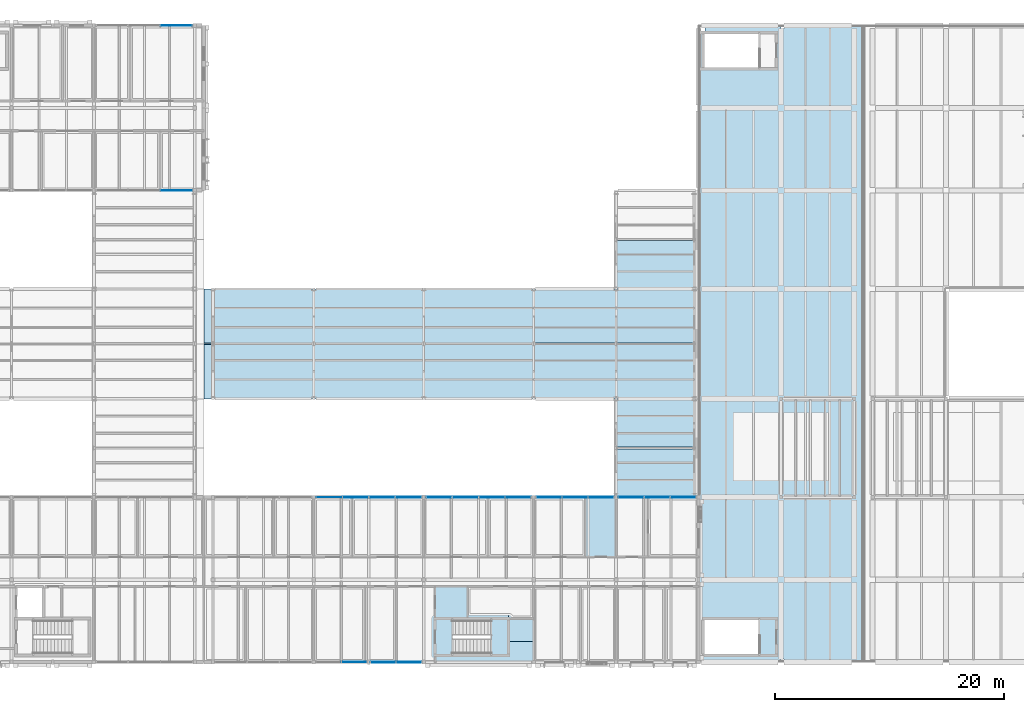
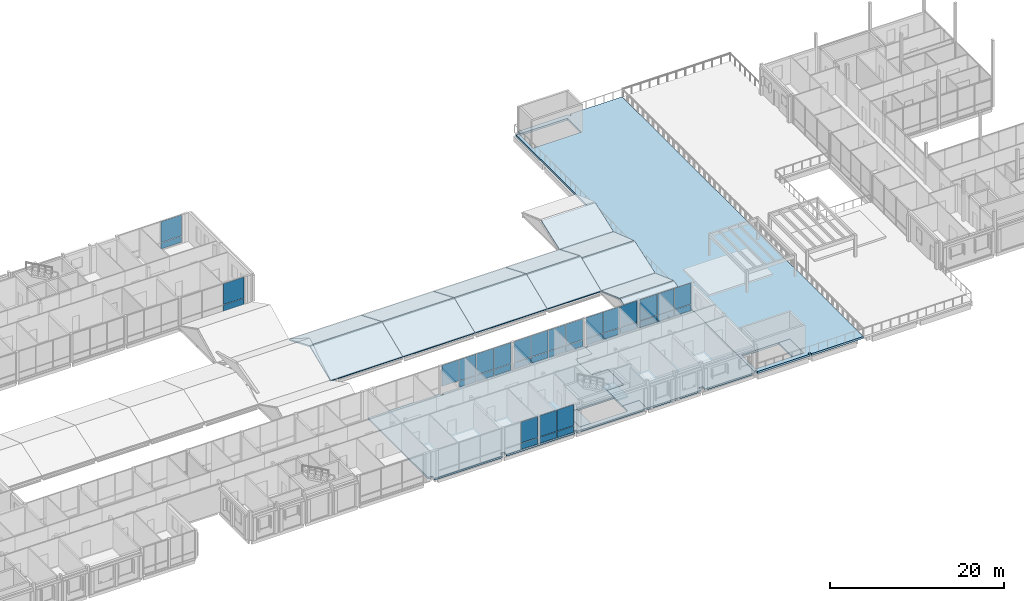
# One storey, part 70 of 115: 37 plates, 19 slabs, 9 elements without a shape of their own.
"""IFC4 building model written with IfcOpenShell, lengths in metres."""

from ifc_helpers import new_model, si_unit, direction, frame, origin, origin_2d, place, context, subcontext, project, spatial, polyline, rectangle, outline, extrude, material, layer, layer_set, type_object, element, aggregate, save


model = new_model("IFC4")

# Units and contexts
model_context = context("Model", 3, precision=1e-05, world=origin(), true_north=direction((0.0, 1.0)))
body_context = subcontext(model_context, "Body", "Model", "MODEL_VIEW")
ifc_project = project(units=[si_unit("LENGTHUNIT", "METRE"), si_unit("AREAUNIT", "SQUARE_METRE"), si_unit("VOLUMEUNIT", "CUBIC_METRE"), si_unit("PLANEANGLEUNIT", "RADIAN"), si_unit("MASSUNIT", "GRAM", prefix="KILO")], contexts=[model_context])

# Site, building, storey
site_placement = place(None, origin())
site = spatial("IfcSite", under=ifc_project, at=site_placement, CompositionType="ELEMENT")
building_placement = place(site_placement, origin())
building = spatial("IfcBuilding", under=site, at=building_placement, Name="Hawrajan Terrace Health Centre", CompositionType="ELEMENT")
storey_placement = place(building_placement, frame((0.0, 0.0, 9.0)))
storey = spatial("IfcBuildingStorey", under=building, at=storey_placement, Name="L02", CompositionType="ELEMENT", Elevation=9.0)

# Curtain wall, plate
ifc_material_1 = material(Name="Anodized bronze aluminium and low-E solar glazing", Category="aluminium")
curtain_wall_type_1 = type_object("IfcCurtainWallType", Name="CW_Clerestory_SeriesG2", PredefinedType="USERDEFINED", material=ifc_material_1)
curtain_wall_1_placement = place(storey_placement, origin())
curtain_wall_1 = element("IfcCurtainWall", 1, at=curtain_wall_1_placement, inside=storey, type_object=curtain_wall_type_1, Name="Curtain wall CW-L02-137", ObjectType="UNITISED CURTAIN WALL", PredefinedType="USERDEFINED")
ifc_material_2 = material(Name="Diffused north-light insulated glazing", Category="glass")
ifc_layer_1 = layer(ifc_material_2, 0.031982421875)
ifc_layer_set_1 = layer_set([ifc_layer_1], Name="Diffused north-light insulated glazing")
plate_type_1 = type_object("IfcPlateType", Name="ClerestoryGlassPanel_32", PredefinedType="CURTAIN_PANEL", material=ifc_layer_set_1)
plate_1_placement = place(storey_placement, frame((69.398193359375, 59.800048828125, 0.9814453125), z_axis=(0.0, 0.0, 1.0), x_axis=(1.0, 0.0, 0.0)))
plate_1 = element("IfcPlate", 2, at=plate_1_placement, type_object=plate_type_1, Name="Curtain panel CW-L02-137-P3-2", PredefinedType="CURTAIN_PANEL", context=body_context, shape_type="SweptSolid", body=[
    extrude(rectangle(XDim=2.745361328125, YDim=0.031982421875, at=origin_2d()), origin(), (0.0, 0.0, 1.0), 2.929443359375),
])

curtain_wall_type_2 = type_object("IfcCurtainWallType", Name="CW_Bridge_SeriesJ1", PredefinedType="USERDEFINED", material=ifc_material_1)
curtain_wall_2_placement = place(storey_placement, origin())
curtain_wall_2 = element("IfcCurtainWall", 3, at=curtain_wall_2_placement, inside=storey, type_object=curtain_wall_type_2, Name="Curtain wall CW-L02-140", ObjectType="UNITISED CURTAIN WALL", PredefinedType="USERDEFINED")
plate_2_placement = place(storey_placement, frame((84.931396484375, 4.199951171875, 0.9814453125), z_axis=(0.0, 0.0, 1.0), x_axis=(1.0, 0.0, 0.0)))
plate_2 = element("IfcPlate", 4, at=plate_2_placement, type_object=plate_type_1, Name="Curtain panel CW-L02-140-P2-2", PredefinedType="CURTAIN_PANEL", context=body_context, shape_type="SweptSolid", body=[
    extrude(rectangle(XDim=2.159423828125, YDim=0.031982421875, at=origin_2d()), origin(), (0.0, 0.0, 1.0), 2.939453125),
])

# Curtain wall, plates
curtain_wall_type_3 = type_object("IfcCurtainWallType", Name="CW_Diagnostic_SeriesM1", PredefinedType="USERDEFINED", material=ifc_material_1)
curtain_wall_3_placement = place(storey_placement, origin())
curtain_wall_3 = element("IfcCurtainWall", 5, at=curtain_wall_3_placement, inside=storey, type_object=curtain_wall_type_3, Name="Curtain wall CW-L02-143", ObjectType="UNITISED CURTAIN WALL", PredefinedType="USERDEFINED")
plate_3_placement = place(storey_placement, frame((92.33056640625, 18.60009765625, 0.9814453125), z_axis=(0.0, 0.0, 1.0), x_axis=(1.0, 0.0, 0.0)))
plate_3 = element("IfcPlate", 6, at=plate_3_placement, type_object=plate_type_1, Name="Curtain panel CW-L02-143-P1-2", PredefinedType="CURTAIN_PANEL", context=body_context, shape_type="SweptSolid", body=[
    extrude(rectangle(XDim=2.2431640625, YDim=0.031982421875, at=origin_2d()), origin(), (0.0, 0.0, 1.0), 2.939453125),
])
plate_4_placement = place(storey_placement, frame((94.636962890625, 18.60009765625, 0.9814453125), z_axis=(0.0, 0.0, 1.0), x_axis=(1.0, 0.0, 0.0)))
plate_4 = element("IfcPlate", 7, at=plate_4_placement, type_object=plate_type_1, Name="Curtain panel CW-L02-143-P2-2", PredefinedType="CURTAIN_PANEL", context=body_context, shape_type="SweptSolid", body=[
    extrude(rectangle(XDim=2.2431640625, YDim=0.031982421875, at=origin_2d()), origin(), (0.0, 0.0, 1.0), 2.939453125),
])
plate_5_placement = place(storey_placement, frame((96.943115234375, 18.60009765625, 0.9814453125), z_axis=(0.0, 0.0, 1.0), x_axis=(1.0, 0.0, 0.0)))
plate_5 = element("IfcPlate", 8, at=plate_5_placement, type_object=plate_type_1, Name="Curtain panel CW-L02-143-P3-2", PredefinedType="CURTAIN_PANEL", context=body_context, shape_type="SweptSolid", body=[
    extrude(rectangle(XDim=2.243408203125, YDim=0.031982421875, at=origin_2d()), origin(), (0.0, 0.0, 1.0), 2.939453125),
])
plate_6_placement = place(storey_placement, frame((99.24951171875, 18.60009765625, 0.9814453125), z_axis=(0.0, 0.0, 1.0), x_axis=(1.0, 0.0, 0.0)))
plate_6 = element("IfcPlate", 9, at=plate_6_placement, type_object=plate_type_1, Name="Curtain panel CW-L02-143-P4-2", PredefinedType="CURTAIN_PANEL", context=body_context, shape_type="SweptSolid", body=[
    extrude(rectangle(XDim=2.243408203125, YDim=0.031982421875, at=origin_2d()), origin(), (0.0, 0.0, 1.0), 2.939453125),
])

# Slabs
ifc_material_3 = material(Name="Cross-laminated timber CLT C24", Category="wood")
ifc_layer_2 = layer(ifc_material_3, 0.239990234375)
ifc_layer_set_2 = layer_set([ifc_layer_2], Name="Cross-laminated timber CLT C24")
slab_type_1 = type_object("IfcSlabType", Name="FloorSlab_CLT240", PredefinedType="FLOOR", material=ifc_layer_set_2)
slab_1_placement = place(storey_placement, frame((0.0, 0.0, -0.239990234375)))
element("IfcSlab", 10, at=slab_1_placement, inside=storey, type_object=slab_type_1, Name="Structural slab SL-L02-C-V3-Z3-1", PredefinedType="FLOOR", context=body_context, shape_type="SweptSolid", body=[
    extrude(outline(polyline([(71.804931640625, 18.60009765625), (81.39990234375, 18.60009765625), (81.39990234375, 18.320068359375), (81.679931640625, 18.320068359375), (81.679931640625, 18.60009765625), (91.0, 18.60009765625), (100.60009765625, 18.60009765625), (100.60009765625, 18.320068359375), (100.60009765625, 16.800048828125), (98.39990234375, 16.800048828125), (98.39990234375, 13.199951171875), (100.60009765625, 13.199951171875), (100.60009765625, 11.39990234375), (100.60009765625, 9.60009765625), (98.39990234375, 9.60009765625), (98.39990234375, 8.0), (92.0, 8.0), (92.0, 4.800048828125), (98.39990234375, 4.800048828125), (98.39990234375, 6.0), (100.60009765625, 6.0), (100.60009765625, 4.199951171875), (91.280029296875, 4.199951171875), (91.280029296875, 4.47998046875), (91.0, 4.47998046875), (91.0, 4.199951171875), (81.949951171875, 4.199951171875), (81.949951171875, 4.75), (81.39990234375, 4.75), (81.39990234375, 4.199951171875), (72.35009765625, 4.199951171875), (72.35009765625, 4.75), (71.804931640625, 4.75), (71.804931640625, 11.39990234375), (71.804931640625, 18.60009765625)])), origin(), (0.0, 0.0, 1.0), 0.239990234375),
])
slab_2_placement = place(storey_placement, frame((0.0, 0.0, -0.239990234375)))
element("IfcSlab", 11, at=slab_2_placement, inside=storey, type_object=slab_type_1, Name="Structural slab SL-L02-C-V3-Z4-1", PredefinedType="FLOOR", context=body_context, shape_type="SweptSolid", body=[
    extrude(outline(polyline([(100.8798828125, 18.320068359375), (100.8798828125, 18.60009765625), (107.800048828125, 18.60009765625), (115.0, 18.60009765625), (115.0, 11.39990234375), (115.0, 4.47998046875), (115.0, 4.199951171875), (108.35009765625, 4.199951171875), (108.35009765625, 4.75), (107.800048828125, 4.75), (107.800048828125, 4.199951171875), (100.60205078125, 4.199951171875), (100.60205078125, 6.001953125), (98.39990234375, 6.001953125), (98.39990234375, 7.998046875), (98.402099609375, 7.998046875), (98.402099609375, 9.597900390625), (100.60205078125, 9.597900390625), (100.60205078125, 13.201904296875), (98.402099609375, 13.201904296875), (98.402099609375, 16.798095703125), (100.60205078125, 16.798095703125), (100.60205078125, 18.320068359375), (100.8798828125, 18.320068359375)])), origin(), (0.0, 0.0, 1.0), 0.239990234375),
])
ifc_layer_3 = layer(ifc_material_3, 0.179931640625)
ifc_layer_set_3 = layer_set([ifc_layer_3], Name="Cross-laminated timber CLT C24")
slab_type_2 = type_object("IfcSlabType", Name="RoofSlab_Tent180", PredefinedType="ROOF", material=ifc_layer_set_3)
for number, where, z_axis, x_axis, name in (
    (12, (71.804931640625, 27.199951171875, 0.0), (0.0, -0.384639116064, 0.923067034615), (1.0, 0.0, 0.0), "Pitched tent roof slab RF-V1-10-TRM-S"),
    (13, (71.804931640625, 32.080078125, 1.966796875), (0.0, 0.384639116064, 0.923067034615), (1.0, 0.0, 0.0), "Pitched tent roof slab RF-V1-10-TRM-N"),
):
    element("IfcSlab", number, at=place(storey_placement, frame(where, z_axis=z_axis, x_axis=x_axis)), inside=storey, type_object=slab_type_2, Name=name, PredefinedType="ROOF", context=body_context, shape_type="SweptSolid", body=[
        extrude(outline(polyline([(0.0, 0.0), (9.594970703125, 0.0), (9.594970703125, 5.113356371882178), (0.0, 5.113356371882178), (0.0, 0.0)])), origin(), (0.0, 0.0, -1.0), 0.179931640625),
    ])
for number, where, z_axis, x_axis, name in (
    (14, (81.39990234375, 27.199951171875, 0.0), (0.0, -0.384639116064, 0.923067034615), (1.0, 0.0, 0.0), "Pitched tent roof slab RF-V1-11-TRM-S"),
    (15, (81.39990234375, 32.080078125, 1.966796875), (0.0, 0.384639116064, 0.923067034615), (1.0, 0.0, 0.0), "Pitched tent roof slab RF-V1-11-TRM-N"),
    (16, (91.0, 27.199951171875, 0.0), (0.0, -0.384639116064, 0.923067034615), (1.0, 0.0, 0.0), "Pitched tent roof slab RF-V1-12-TRM-S"),
    (17, (91.0, 32.080078125, 1.966796875), (0.0, 0.384639116064, 0.923067034615), (1.0, 0.0, 0.0), "Pitched tent roof slab RF-V1-12-TRM-N"),
):
    element("IfcSlab", number, at=place(storey_placement, frame(where, z_axis=z_axis, x_axis=x_axis)), inside=storey, type_object=slab_type_2, Name=name, PredefinedType="ROOF", context=body_context, shape_type="SweptSolid", body=[
        extrude(outline(polyline([(0.0, 0.0), (9.60009765625, 0.0), (9.60009765625, 5.113356371882178), (0.0, 5.113356371882178), (0.0, 0.0)])), origin(), (0.0, 0.0, -1.0), 0.179931640625),
    ])
for number, where, z_axis, x_axis, name in (
    (18, (100.60009765625, 27.199951171875, 0.0), (0.0, -0.384639116064, 0.923067034615), (1.0, 0.0, 0.0), "Pitched tent roof slab RF-V1-13-TRM-S"),
    (19, (100.60009765625, 32.080078125, 1.966796875), (0.0, 0.384639116064, 0.923067034615), (1.0, 0.0, 0.0), "Pitched tent roof slab RF-V1-13-TRM-N"),
):
    element("IfcSlab", number, at=place(storey_placement, frame(where, z_axis=z_axis, x_axis=x_axis)), inside=storey, type_object=slab_type_2, Name=name, PredefinedType="ROOF", context=body_context, shape_type="SweptSolid", body=[
        extrude(outline(polyline([(0.0, 0.0), (7.199951171875, 0.0), (7.199951171875, 5.113356371882178), (0.0, 5.113356371882178), (0.0, 0.0)])), origin(), (0.0, 0.0, -1.0), 0.179931640625),
    ])
for number, where, z_axis, x_axis, name in (
    (20, (107.800048828125, 27.199951171875, 0.0), (0.0, -0.325092072107, 0.945682369854), (1.0, 0.0, 0.0), "Pitched tent roof slab RF-V1-14-TRS-S"),
    (21, (107.800048828125, 32.080078125, 1.62255859375), (0.0, 0.325092072107, 0.945682369854), (1.0, 0.0, 0.0), "Pitched tent roof slab RF-V1-14-TRS-N"),
):
    element("IfcSlab", number, at=place(storey_placement, frame(where, z_axis=z_axis, x_axis=x_axis)), inside=storey, type_object=slab_type_2, Name=name, PredefinedType="ROOF", context=body_context, shape_type="SweptSolid", body=[
        extrude(outline(polyline([(0.0, 0.0), (7.179931640625, 0.0), (7.179931640625, 4.991074015531156), (0.0, 4.991074015531156), (0.0, 0.0)])), origin(), (0.0, 0.0, -1.0), 0.179931640625),
    ])
for number, where, z_axis, x_axis, name in (
    (22, (107.800048828125, 18.60009765625, 0.0), (0.0, -0.339124157787, 0.940741625318), (1.0, 0.0, 0.0), "Pitched tent roof slab RF-V1-14-TRS-SC-S"),
    (23, (107.800048828125, 22.97998046875, 1.521240234375), (0.0, 0.339124157787, 0.940741625318), (1.0, 0.0, 0.0), "Pitched tent roof slab RF-V1-14-TRS-SC-N"),
    (24, (107.800048828125, 36.800048828125, 0.0), (0.0, -0.339124157787, 0.940741625318), (1.0, 0.0, 0.0), "Pitched tent roof slab RF-V1-14-TRS-NC-S"),
):
    element("IfcSlab", number, at=place(storey_placement, frame(where, z_axis=z_axis, x_axis=x_axis)), inside=storey, type_object=slab_type_2, Name=name, PredefinedType="ROOF", context=body_context, shape_type="SweptSolid", body=[
        extrude(outline(polyline([(0.0, 0.0), (7.179931640625, 0.0), (7.179931640625, 4.485791411324719), (0.0, 4.485791411324719), (0.0, 0.0)])), origin(), (0.0, 0.0, -1.0), 0.179931640625),
    ])

# Curtain wall, plate
curtain_wall_type_4 = type_object("IfcCurtainWallType", Name="CW_Clerestory_SeriesG1", PredefinedType="USERDEFINED", material=ifc_material_1)
curtain_wall_4_placement = place(storey_placement, origin())
curtain_wall_4 = element("IfcCurtainWall", 25, at=curtain_wall_4_placement, inside=storey, type_object=curtain_wall_type_4, Name="Curtain wall CW-L02-136", ObjectType="UNITISED CURTAIN WALL", PredefinedType="USERDEFINED")
ifc_material_4 = material(Name="Insulated anodized bronze spandrel panel")
ifc_layer_4 = layer(ifc_material_4, 0.048095703125)
ifc_layer_set_4 = layer_set([ifc_layer_4], Name="Insulated anodized bronze spandrel panel")
plate_type_2 = type_object("IfcPlateType", Name="SpandrelPanel_Bronze48", PredefinedType="CURTAIN_PANEL", material=ifc_layer_set_4)
plate_7_placement = place(storey_placement, frame((69.401611328125, 45.39990234375, 0.05908203125), z_axis=(0.0, 0.0, 1.0), x_axis=(1.0, 0.0, 0.0)))
plate_7 = element("IfcPlate", 26, at=plate_7_placement, type_object=plate_type_2, Name="Curtain panel CW-L02-136-P3-1", PredefinedType="CURTAIN_PANEL", context=body_context, shape_type="SweptSolid", body=[
    extrude(rectangle(XDim=2.7587890625, YDim=0.048095703125, at=origin_2d()), origin(), (0.0, 0.0, 1.0), 0.864501953125),
])

# Plate
plate_8_placement = place(storey_placement, frame((84.931396484375, 4.199951171875, 0.06884765625), z_axis=(0.0, 0.0, 1.0), x_axis=(1.0, 0.0, 0.0)))
plate_8 = element("IfcPlate", 27, at=plate_8_placement, type_object=plate_type_2, Name="Curtain panel CW-L02-140-P2-1", PredefinedType="CURTAIN_PANEL", context=body_context, shape_type="SweptSolid", body=[
    extrude(rectangle(XDim=2.159423828125, YDim=0.048095703125, at=origin_2d()), origin(), (0.0, 0.0, 1.0), 0.849609375),
])

aggregate(curtain_wall_2, [plate_8, plate_2])

# Curtain wall, plates
curtain_wall_type_5 = type_object("IfcCurtainWallType", Name="CW_Setback_SeriesL1", PredefinedType="USERDEFINED", material=ifc_material_1)
curtain_wall_5_placement = place(storey_placement, origin())
curtain_wall_5 = element("IfcCurtainWall", 28, at=curtain_wall_5_placement, inside=storey, type_object=curtain_wall_type_5, Name="Curtain wall CW-L02-142", ObjectType="UNITISED CURTAIN WALL", PredefinedType="USERDEFINED")
plate_9_placement = place(storey_placement, frame((85.0556640625, 18.60009765625, 0.05908203125), z_axis=(0.0, 0.0, 1.0), x_axis=(1.0, 0.0, 0.0)))
plate_9 = element("IfcPlate", 29, at=plate_9_placement, type_object=plate_type_2, Name="Curtain panel CW-L02-142-P2-1", PredefinedType="CURTAIN_PANEL", context=body_context, shape_type="SweptSolid", body=[
    extrude(rectangle(XDim=2.255615234375, YDim=0.048095703125, at=origin_2d()), origin(), (0.0, 0.0, 1.0), 0.864501953125),
])
plate_10_placement = place(storey_placement, frame((87.364501953125, 18.60009765625, 0.05908203125), z_axis=(0.0, 0.0, 1.0), x_axis=(1.0, 0.0, 0.0)))
plate_10 = element("IfcPlate", 30, at=plate_10_placement, type_object=plate_type_2, Name="Curtain panel CW-L02-142-P3-1", PredefinedType="CURTAIN_PANEL", context=body_context, shape_type="SweptSolid", body=[
    extrude(rectangle(XDim=2.255615234375, YDim=0.048095703125, at=origin_2d()), origin(), (0.0, 0.0, 1.0), 0.864501953125),
])
plate_11_placement = place(storey_placement, frame((89.673095703125, 18.60009765625, 0.05908203125), z_axis=(0.0, 0.0, 1.0), x_axis=(1.0, 0.0, 0.0)))
plate_11 = element("IfcPlate", 31, at=plate_11_placement, type_object=plate_type_2, Name="Curtain panel CW-L02-142-P4-1", PredefinedType="CURTAIN_PANEL", context=body_context, shape_type="SweptSolid", body=[
    extrude(rectangle(XDim=2.255859375, YDim=0.048095703125, at=origin_2d()), origin(), (0.0, 0.0, 1.0), 0.864501953125),
])

curtain_wall_type_6 = type_object("IfcCurtainWallType", Name="CW_Diagnostic_SeriesM2", PredefinedType="USERDEFINED", material=ifc_material_1)
curtain_wall_6_placement = place(storey_placement, origin())
curtain_wall_6 = element("IfcCurtainWall", 32, at=curtain_wall_6_placement, inside=storey, type_object=curtain_wall_type_6, Name="Curtain wall CW-L02-144", ObjectType="UNITISED CURTAIN WALL", PredefinedType="USERDEFINED")
plate_12_placement = place(storey_placement, frame((101.931640625, 18.60009765625, 0.05908203125), z_axis=(0.0, 0.0, 1.0), x_axis=(1.0, 0.0, 0.0)))
plate_12 = element("IfcPlate", 33, at=plate_12_placement, type_object=plate_type_2, Name="Curtain panel CW-L02-144-P1-1", PredefinedType="CURTAIN_PANEL", context=body_context, shape_type="SweptSolid", body=[
    extrude(rectangle(XDim=2.225341796875, YDim=0.048095703125, at=origin_2d()), origin(), (0.0, 0.0, 1.0), 0.864501953125),
])
plate_13_placement = place(storey_placement, frame((104.2099609375, 18.60009765625, 0.05908203125), z_axis=(0.0, 0.0, 1.0), x_axis=(1.0, 0.0, 0.0)))
plate_13 = element("IfcPlate", 34, at=plate_13_placement, type_object=plate_type_2, Name="Curtain panel CW-L02-144-P2-1", PredefinedType="CURTAIN_PANEL", context=body_context, shape_type="SweptSolid", body=[
    extrude(rectangle(XDim=2.225341796875, YDim=0.048095703125, at=origin_2d()), origin(), (0.0, 0.0, 1.0), 0.864501953125),
])
plate_14_placement = place(storey_placement, frame((106.48828125, 18.60009765625, 0.05908203125), z_axis=(0.0, 0.0, 1.0), x_axis=(1.0, 0.0, 0.0)))
plate_14 = element("IfcPlate", 35, at=plate_14_placement, type_object=plate_type_2, Name="Curtain panel CW-L02-144-P3-1", PredefinedType="CURTAIN_PANEL", context=body_context, shape_type="SweptSolid", body=[
    extrude(rectangle(XDim=2.225341796875, YDim=0.048095703125, at=origin_2d()), origin(), (0.0, 0.0, 1.0), 0.864501953125),
])

# Plate
ifc_material_5 = material(Name="Insulated reconstituted coral-stone spandrel", Category="masonry")
ifc_layer_5 = layer(ifc_material_5, 0.055908203125)
ifc_layer_set_5 = layer_set([ifc_layer_5], Name="Insulated reconstituted coral-stone spandrel")
plate_type_3 = type_object("IfcPlateType", Name="SpandrelPanel_Coral56", PredefinedType="CURTAIN_PANEL", material=ifc_layer_set_5)
plate_15_placement = place(storey_placement, frame((69.398193359375, 59.800048828125, 0.06884765625), z_axis=(0.0, 0.0, 1.0), x_axis=(1.0, 0.0, 0.0)))
plate_15 = element("IfcPlate", 36, at=plate_15_placement, type_object=plate_type_3, Name="Curtain panel CW-L02-137-P3-1", PredefinedType="CURTAIN_PANEL", context=body_context, shape_type="SweptSolid", body=[
    extrude(rectangle(XDim=2.745361328125, YDim=0.055908203125, at=origin_2d()), origin(), (0.0, 0.0, 1.0), 0.849609375),
])

aggregate(curtain_wall_1, [plate_15, plate_1])

# Curtain wall, plates
curtain_wall_type_7 = type_object("IfcCurtainWallType", Name="CW_Terrace_SeriesK1", PredefinedType="USERDEFINED", material=ifc_material_1)
curtain_wall_7_placement = place(storey_placement, origin())
curtain_wall_7 = element("IfcCurtainWall", 37, at=curtain_wall_7_placement, inside=storey, type_object=curtain_wall_type_7, Name="Curtain wall CW-L02-141", ObjectType="UNITISED CURTAIN WALL", PredefinedType="USERDEFINED")
plate_16_placement = place(storey_placement, frame((87.47119140625, 4.199951171875, 0.05908203125), z_axis=(0.0, 0.0, 1.0), x_axis=(1.0, 0.0, 0.0)))
plate_16 = element("IfcPlate", 38, at=plate_16_placement, type_object=plate_type_3, Name="Curtain panel CW-L02-141-P1-1", PredefinedType="CURTAIN_PANEL", context=body_context, shape_type="SweptSolid", body=[
    extrude(rectangle(XDim=2.1845703125, YDim=0.055908203125, at=origin_2d()), origin(), (0.0, 0.0, 1.0), 0.864501953125),
])
plate_17_placement = place(storey_placement, frame((89.708740234375, 4.199951171875, 0.05908203125), z_axis=(0.0, 0.0, 1.0), x_axis=(1.0, 0.0, 0.0)))
plate_17 = element("IfcPlate", 39, at=plate_17_placement, type_object=plate_type_3, Name="Curtain panel CW-L02-141-P2-1", PredefinedType="CURTAIN_PANEL", context=body_context, shape_type="SweptSolid", body=[
    extrude(rectangle(XDim=2.1845703125, YDim=0.055908203125, at=origin_2d()), origin(), (0.0, 0.0, 1.0), 0.864501953125),
])

# Plate
plate_18_placement = place(storey_placement, frame((92.33056640625, 18.60009765625, 0.06884765625), z_axis=(0.0, 0.0, 1.0), x_axis=(1.0, 0.0, 0.0)))
plate_18 = element("IfcPlate", 40, at=plate_18_placement, type_object=plate_type_3, Name="Curtain panel CW-L02-143-P1-1", PredefinedType="CURTAIN_PANEL", context=body_context, shape_type="SweptSolid", body=[
    extrude(rectangle(XDim=2.2431640625, YDim=0.055908203125, at=origin_2d()), origin(), (0.0, 0.0, 1.0), 0.849609375),
])

plate_19_placement = place(storey_placement, frame((94.636962890625, 18.60009765625, 0.06884765625), z_axis=(0.0, 0.0, 1.0), x_axis=(1.0, 0.0, 0.0)))
plate_19 = element("IfcPlate", 41, at=plate_19_placement, type_object=plate_type_3, Name="Curtain panel CW-L02-143-P2-1", PredefinedType="CURTAIN_PANEL", context=body_context, shape_type="SweptSolid", body=[
    extrude(rectangle(XDim=2.2431640625, YDim=0.055908203125, at=origin_2d()), origin(), (0.0, 0.0, 1.0), 0.849609375),
])

plate_20_placement = place(storey_placement, frame((96.943115234375, 18.60009765625, 0.06884765625), z_axis=(0.0, 0.0, 1.0), x_axis=(1.0, 0.0, 0.0)))
plate_20 = element("IfcPlate", 42, at=plate_20_placement, type_object=plate_type_3, Name="Curtain panel CW-L02-143-P3-1", PredefinedType="CURTAIN_PANEL", context=body_context, shape_type="SweptSolid", body=[
    extrude(rectangle(XDim=2.243408203125, YDim=0.055908203125, at=origin_2d()), origin(), (0.0, 0.0, 1.0), 0.849609375),
])

plate_21_placement = place(storey_placement, frame((99.24951171875, 18.60009765625, 0.06884765625), z_axis=(0.0, 0.0, 1.0), x_axis=(1.0, 0.0, 0.0)))
plate_21 = element("IfcPlate", 43, at=plate_21_placement, type_object=plate_type_3, Name="Curtain panel CW-L02-143-P4-1", PredefinedType="CURTAIN_PANEL", context=body_context, shape_type="SweptSolid", body=[
    extrude(rectangle(XDim=2.243408203125, YDim=0.055908203125, at=origin_2d()), origin(), (0.0, 0.0, 1.0), 0.849609375),
])

aggregate(curtain_wall_3, [plate_18, plate_3, plate_19, plate_4, plate_20, plate_5, plate_21, plate_6])

# Curtain wall, plates
curtain_wall_type_8 = type_object("IfcCurtainWallType", Name="CW_Court_SeriesA1", PredefinedType="USERDEFINED", material=ifc_material_1)
curtain_wall_8_placement = place(storey_placement, origin())
curtain_wall_8 = element("IfcCurtainWall", 44, at=curtain_wall_8_placement, inside=storey, type_object=curtain_wall_type_8, Name="Curtain wall CW-L02-145", ObjectType="UNITISED CURTAIN WALL", PredefinedType="USERDEFINED")
plate_22_placement = place(storey_placement, frame((109.11181640625, 18.60009765625, 0.05908203125), z_axis=(0.0, 0.0, 1.0), x_axis=(1.0, 0.0, 0.0)))
plate_22 = element("IfcPlate", 45, at=plate_22_placement, type_object=plate_type_3, Name="Curtain panel CW-L02-145-P1-1", PredefinedType="CURTAIN_PANEL", context=body_context, shape_type="SweptSolid", body=[
    extrude(rectangle(XDim=2.225341796875, YDim=0.055908203125, at=origin_2d()), origin(), (0.0, 0.0, 1.0), 0.864501953125),
])
plate_23_placement = place(storey_placement, frame((111.389892578125, 18.60009765625, 0.05908203125), z_axis=(0.0, 0.0, 1.0), x_axis=(1.0, 0.0, 0.0)))
plate_23 = element("IfcPlate", 46, at=plate_23_placement, type_object=plate_type_3, Name="Curtain panel CW-L02-145-P2-1", PredefinedType="CURTAIN_PANEL", context=body_context, shape_type="SweptSolid", body=[
    extrude(rectangle(XDim=2.225341796875, YDim=0.055908203125, at=origin_2d()), origin(), (0.0, 0.0, 1.0), 0.864501953125),
])
plate_24_placement = place(storey_placement, frame((113.668212890625, 18.60009765625, 0.05908203125), z_axis=(0.0, 0.0, 1.0), x_axis=(1.0, 0.0, 0.0)))
plate_24 = element("IfcPlate", 47, at=plate_24_placement, type_object=plate_type_3, Name="Curtain panel CW-L02-145-P3-1", PredefinedType="CURTAIN_PANEL", context=body_context, shape_type="SweptSolid", body=[
    extrude(rectangle(XDim=2.225341796875, YDim=0.055908203125, at=origin_2d()), origin(), (0.0, 0.0, 1.0), 0.864501953125),
])

# Stair, slabs
ifc_material_6 = material(Name="Concrete C40/50", Category="concrete")
stair_type = type_object("IfcStairType", Name="Stair_4200_W1300", PredefinedType="HALF_TURN_STAIR", material=ifc_material_6)
stair_placement = place(storey_placement, origin())
stair = element("IfcStair", 48, at=stair_placement, inside=storey, type_object=stair_type, Name="Stair ST-5-L02", PredefinedType="HALF_TURN_STAIR")
ifc_layer_6 = layer(ifc_material_6, 0.219970703125)
ifc_layer_set_6 = layer_set([ifc_layer_6], Name="Concrete C40/50")
slab_type_3 = type_object("IfcSlabType", Name="StairLanding_RC220", PredefinedType="LANDING", material=ifc_layer_set_6)
slab_3_placement = place(storey_placement, frame((0.0, 0.0, -0.219970703125)))
slab_3 = element("IfcSlab", 49, at=slab_3_placement, type_object=slab_type_3, Name="Stair floor landing ST-5-L02-L0", PredefinedType="LANDING", context=body_context, shape_type="SweptSolid", body=[
    extrude(outline(polyline([(92.0, 4.800048828125), (93.5, 4.800048828125), (93.5, 8.0), (92.0, 8.0), (92.0, 4.800048828125)])), origin(), (0.0, 0.0, 1.0), 0.219970703125),
])
slab_4_placement = place(storey_placement, frame((0.0, 0.0, 1.8798828125)))
slab_4 = element("IfcSlab", 50, at=slab_4_placement, type_object=slab_type_3, Name="Stair half landing ST-5-L02-L1", PredefinedType="LANDING", context=body_context, shape_type="SweptSolid", body=[
    extrude(outline(polyline([(96.89990234375, 4.800048828125), (98.39990234375, 4.800048828125), (98.39990234375, 8.0), (96.89990234375, 8.0), (96.89990234375, 4.800048828125)])), origin(), (0.0, 0.0, 1.0), 0.22021484375),
])
aggregate(stair, [slab_3, slab_4])

# Slabs
slab_5_placement = place(storey_placement, frame((0.0, 0.0, -0.219970703125)))
element("IfcSlab", 51, at=slab_5_placement, inside=storey, type_object=slab_type_3, Name="Stair top arrival landing ST-6", PredefinedType="LANDING", context=body_context, shape_type="SweptSolid", body=[
    extrude(outline(polyline([(120.300048828125, 4.800048828125), (121.800048828125, 4.800048828125), (121.800048828125, 8.0), (120.300048828125, 8.0), (120.300048828125, 4.800048828125)])), origin(), (0.0, 0.0, 1.0), 0.219970703125),
])
ifc_layer_7 = layer(ifc_material_6, 0.280029296875)
ifc_layer_set_7 = layer_set([ifc_layer_7], Name="Concrete C40/50")
slab_type_4 = type_object("IfcSlabType", Name="TerraceDeck_RC280", PredefinedType="FLOOR", material=ifc_layer_set_7)
slab_6_placement = place(storey_placement, frame((0.0, 0.0, -0.280029296875)))
element("IfcSlab", 52, at=slab_6_placement, inside=storey, type_object=slab_type_4, Name="External terrace deck TR-L02-TERR-L02-V5-C-1", PredefinedType="FLOOR", context=body_context, shape_type="SweptSolid", body=[
    extrude(outline(polyline([(115.0, 18.60009765625), (115.0, 27.199951171875), (115.0, 36.800048828125), (115.0, 45.39990234375), (115.0, 52.60009765625), (115.0, 59.25), (115.550048828125, 59.25), (115.550048828125, 59.800048828125), (122.199951171875, 59.800048828125), (122.199951171875, 59.52001953125), (122.47998046875, 59.52001953125), (122.47998046875, 59.800048828125), (129.39501953125, 59.800048828125), (129.39501953125, 52.60009765625), (129.39501953125, 45.39990234375), (129.39501953125, 36.800048828125), (129.39501953125, 27.199951171875), (129.39501953125, 18.60009765625), (129.39501953125, 11.39990234375), (129.39501953125, 4.199951171875), (122.47998046875, 4.199951171875), (122.47998046875, 4.47998046875), (122.199951171875, 4.47998046875), (122.199951171875, 4.199951171875), (115.280029296875, 4.199951171875), (115.280029296875, 4.47998046875), (115.0, 4.47998046875), (115.0, 11.39990234375), (115.0, 18.60009765625)]), holes=[polyline([(115.39990234375, 4.800048828125), (121.800048828125, 4.800048828125), (121.800048828125, 8.0), (115.39990234375, 8.0), (115.39990234375, 4.800048828125)]), polyline([(121.800048828125, 56.0), (121.800048828125, 59.199951171875), (115.39990234375, 59.199951171875), (115.39990234375, 56.0), (121.800048828125, 56.0)])]), origin(), (0.0, 0.0, 1.0), 0.280029296875),
])

# Plate
ifc_material_7 = material(Name="Double-glazed solar control low-E glass", Category="glass")
ifc_layer_8 = layer(ifc_material_7, 0.028076171875)
ifc_layer_set_8 = layer_set([ifc_layer_8], Name="Double-glazed solar control low-E glass")
plate_type_4 = type_object("IfcPlateType", Name="VisionGlassPanel_28", PredefinedType="CURTAIN_PANEL", material=ifc_layer_set_8)
plate_25_placement = place(storey_placement, frame((87.47119140625, 4.199951171875, 0.976318359375), z_axis=(0.0, 0.0, 1.0), x_axis=(1.0, 0.0, 0.0)))
plate_25 = element("IfcPlate", 53, at=plate_25_placement, type_object=plate_type_4, Name="Curtain panel CW-L02-141-P1-2", PredefinedType="CURTAIN_PANEL", context=body_context, shape_type="SweptSolid", body=[
    extrude(rectangle(XDim=2.1845703125, YDim=0.028076171875, at=origin_2d()), origin(), (0.0, 0.0, 1.0), 2.95458984375),
])

plate_26_placement = place(storey_placement, frame((89.708740234375, 4.199951171875, 0.976318359375), z_axis=(0.0, 0.0, 1.0), x_axis=(1.0, 0.0, 0.0)))
plate_26 = element("IfcPlate", 54, at=plate_26_placement, type_object=plate_type_4, Name="Curtain panel CW-L02-141-P2-2", PredefinedType="CURTAIN_PANEL", context=body_context, shape_type="SweptSolid", body=[
    extrude(rectangle(XDim=2.1845703125, YDim=0.028076171875, at=origin_2d()), origin(), (0.0, 0.0, 1.0), 2.95458984375),
])

aggregate(curtain_wall_7, [plate_16, plate_25, plate_17, plate_26])

plate_27_placement = place(storey_placement, frame((101.931640625, 18.60009765625, 0.976318359375), z_axis=(0.0, 0.0, 1.0), x_axis=(1.0, 0.0, 0.0)))
plate_27 = element("IfcPlate", 55, at=plate_27_placement, type_object=plate_type_4, Name="Curtain panel CW-L02-144-P1-2", PredefinedType="CURTAIN_PANEL", context=body_context, shape_type="SweptSolid", body=[
    extrude(rectangle(XDim=2.225341796875, YDim=0.028076171875, at=origin_2d()), origin(), (0.0, 0.0, 1.0), 2.95458984375),
])

plate_28_placement = place(storey_placement, frame((104.2099609375, 18.60009765625, 0.976318359375), z_axis=(0.0, 0.0, 1.0), x_axis=(1.0, 0.0, 0.0)))
plate_28 = element("IfcPlate", 56, at=plate_28_placement, type_object=plate_type_4, Name="Curtain panel CW-L02-144-P2-2", PredefinedType="CURTAIN_PANEL", context=body_context, shape_type="SweptSolid", body=[
    extrude(rectangle(XDim=2.225341796875, YDim=0.028076171875, at=origin_2d()), origin(), (0.0, 0.0, 1.0), 2.95458984375),
])

plate_29_placement = place(storey_placement, frame((106.48828125, 18.60009765625, 0.976318359375), z_axis=(0.0, 0.0, 1.0), x_axis=(1.0, 0.0, 0.0)))
plate_29 = element("IfcPlate", 57, at=plate_29_placement, type_object=plate_type_4, Name="Curtain panel CW-L02-144-P3-2", PredefinedType="CURTAIN_PANEL", context=body_context, shape_type="SweptSolid", body=[
    extrude(rectangle(XDim=2.225341796875, YDim=0.028076171875, at=origin_2d()), origin(), (0.0, 0.0, 1.0), 2.95458984375),
])

aggregate(curtain_wall_6, [plate_12, plate_27, plate_13, plate_28, plate_14, plate_29])

ifc_material_8 = material(Name="Triple-glazed solar acoustic low-E glass", Category="glass")
ifc_layer_9 = layer(ifc_material_8, 0.035888671875)
ifc_layer_set_9 = layer_set([ifc_layer_9], Name="Triple-glazed solar acoustic low-E glass")
plate_type_5 = type_object("IfcPlateType", Name="VisionGlassPanel_36", PredefinedType="CURTAIN_PANEL", material=ifc_layer_set_9)
plate_30_placement = place(storey_placement, frame((69.401611328125, 45.39990234375, 0.9765625), z_axis=(0.0, 0.0, 1.0), x_axis=(1.0, 0.0, 0.0)))
plate_30 = element("IfcPlate", 58, at=plate_30_placement, type_object=plate_type_5, Name="Curtain panel CW-L02-136-P3-2", PredefinedType="CURTAIN_PANEL", context=body_context, shape_type="SweptSolid", body=[
    extrude(rectangle(XDim=2.7587890625, YDim=0.035888671875, at=origin_2d()), origin(), (0.0, 0.0, 1.0), 2.944580078125),
])

aggregate(curtain_wall_4, [plate_7, plate_30])

plate_31_placement = place(storey_placement, frame((82.746826171875, 18.60009765625, 0.976318359375), z_axis=(0.0, 0.0, 1.0), x_axis=(1.0, 0.0, 0.0)))
plate_31 = element("IfcPlate", 59, at=plate_31_placement, type_object=plate_type_5, Name="Curtain panel CW-L02-142-P1-2", PredefinedType="CURTAIN_PANEL", context=body_context, shape_type="SweptSolid", body=[
    extrude(rectangle(XDim=2.255615234375, YDim=0.035888671875, at=origin_2d()), origin(), (0.0, 0.0, 1.0), 2.95458984375),
])

plate_32_placement = place(storey_placement, frame((85.0556640625, 18.60009765625, 0.976318359375), z_axis=(0.0, 0.0, 1.0), x_axis=(1.0, 0.0, 0.0)))
plate_32 = element("IfcPlate", 60, at=plate_32_placement, type_object=plate_type_5, Name="Curtain panel CW-L02-142-P2-2", PredefinedType="CURTAIN_PANEL", context=body_context, shape_type="SweptSolid", body=[
    extrude(rectangle(XDim=2.255615234375, YDim=0.035888671875, at=origin_2d()), origin(), (0.0, 0.0, 1.0), 2.95458984375),
])

plate_33_placement = place(storey_placement, frame((87.364501953125, 18.60009765625, 0.976318359375), z_axis=(0.0, 0.0, 1.0), x_axis=(1.0, 0.0, 0.0)))
plate_33 = element("IfcPlate", 61, at=plate_33_placement, type_object=plate_type_5, Name="Curtain panel CW-L02-142-P3-2", PredefinedType="CURTAIN_PANEL", context=body_context, shape_type="SweptSolid", body=[
    extrude(rectangle(XDim=2.255615234375, YDim=0.035888671875, at=origin_2d()), origin(), (0.0, 0.0, 1.0), 2.95458984375),
])

plate_34_placement = place(storey_placement, frame((89.673095703125, 18.60009765625, 0.976318359375), z_axis=(0.0, 0.0, 1.0), x_axis=(1.0, 0.0, 0.0)))
plate_34 = element("IfcPlate", 62, at=plate_34_placement, type_object=plate_type_5, Name="Curtain panel CW-L02-142-P4-2", PredefinedType="CURTAIN_PANEL", context=body_context, shape_type="SweptSolid", body=[
    extrude(rectangle(XDim=2.255859375, YDim=0.035888671875, at=origin_2d()), origin(), (0.0, 0.0, 1.0), 2.95458984375),
])

aggregate(curtain_wall_5, [plate_31, plate_9, plate_32, plate_10, plate_33, plate_11, plate_34])

plate_35_placement = place(storey_placement, frame((109.11181640625, 18.60009765625, 0.9765625), z_axis=(0.0, 0.0, 1.0), x_axis=(1.0, 0.0, 0.0)))
plate_35 = element("IfcPlate", 63, at=plate_35_placement, type_object=plate_type_5, Name="Curtain panel CW-L02-145-P1-2", PredefinedType="CURTAIN_PANEL", context=body_context, shape_type="SweptSolid", body=[
    extrude(rectangle(XDim=2.225341796875, YDim=0.035888671875, at=origin_2d()), origin(), (0.0, 0.0, 1.0), 2.944580078125),
])

plate_36_placement = place(storey_placement, frame((111.389892578125, 18.60009765625, 0.9765625), z_axis=(0.0, 0.0, 1.0), x_axis=(1.0, 0.0, 0.0)))
plate_36 = element("IfcPlate", 64, at=plate_36_placement, type_object=plate_type_5, Name="Curtain panel CW-L02-145-P2-2", PredefinedType="CURTAIN_PANEL", context=body_context, shape_type="SweptSolid", body=[
    extrude(rectangle(XDim=2.225341796875, YDim=0.035888671875, at=origin_2d()), origin(), (0.0, 0.0, 1.0), 2.944580078125),
])

plate_37_placement = place(storey_placement, frame((113.668212890625, 18.60009765625, 0.9765625), z_axis=(0.0, 0.0, 1.0), x_axis=(1.0, 0.0, 0.0)))
plate_37 = element("IfcPlate", 65, at=plate_37_placement, type_object=plate_type_5, Name="Curtain panel CW-L02-145-P3-2", PredefinedType="CURTAIN_PANEL", context=body_context, shape_type="SweptSolid", body=[
    extrude(rectangle(XDim=2.225341796875, YDim=0.035888671875, at=origin_2d()), origin(), (0.0, 0.0, 1.0), 2.944580078125),
])

aggregate(curtain_wall_8, [plate_22, plate_35, plate_23, plate_36, plate_24, plate_37])

save(model, "model.ifc")
